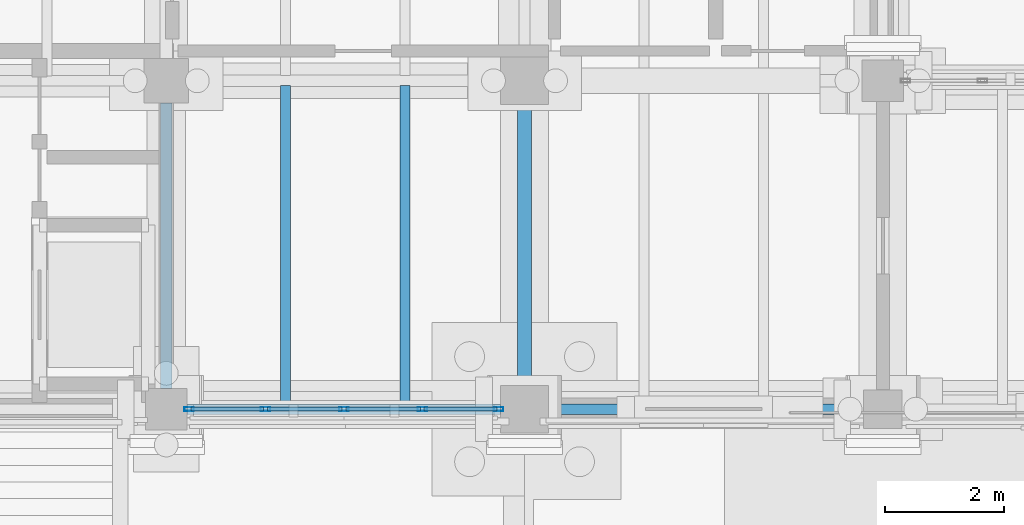
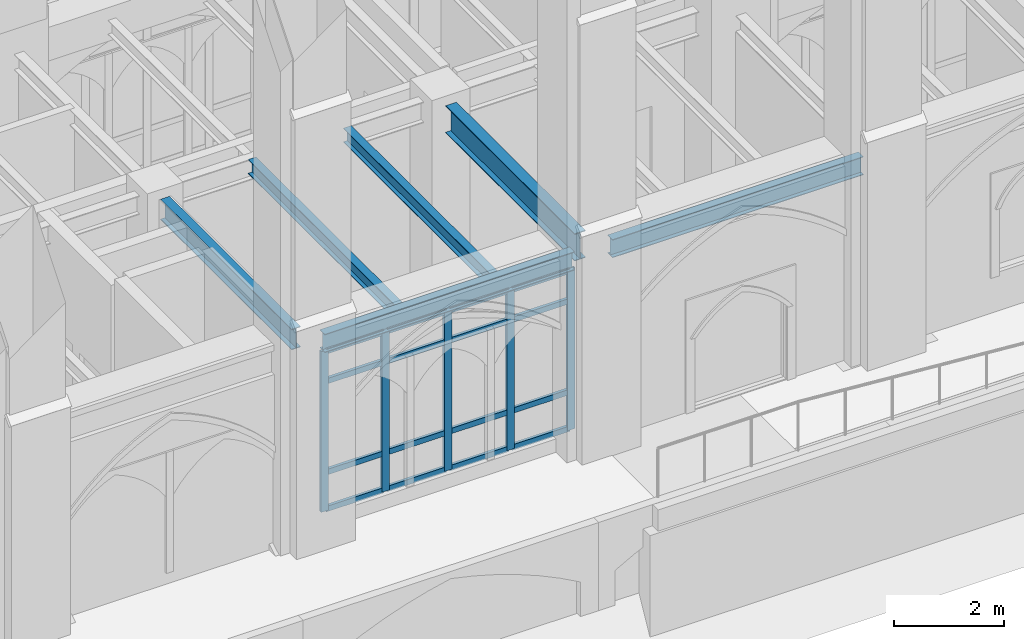
# One storey, part 23 of 135: 21 members, 6 beams, 1 element without a shape of its own.
"""IFC4 building model written with IfcOpenShell, lengths in metres."""

from ifc_helpers import new_model, si_unit, direction, frame, origin, origin_2d, place, context, subcontext, project, spatial, hollow_rectangle, i_section, extrude, material, layer, layer_set, material_profile, profile_set, type_object, element, aggregate, save


model = new_model("IFC4")

# Units and contexts
model_context = context("Model", 3, precision=1e-05, world=origin(), true_north=direction((0.0, 1.0)))
body_context = subcontext(model_context, "Body", "Model", "MODEL_VIEW")
ifc_project = project(units=[si_unit("LENGTHUNIT", "METRE"), si_unit("AREAUNIT", "SQUARE_METRE"), si_unit("VOLUMEUNIT", "CUBIC_METRE"), si_unit("PLANEANGLEUNIT", "RADIAN"), si_unit("MASSUNIT", "GRAM", prefix="KILO")], contexts=[model_context])

# Site, building, storey
site_placement = place(None, origin())
site = spatial("IfcSite", under=ifc_project, at=site_placement, CompositionType="ELEMENT")
building_placement = place(site_placement, origin())
building = spatial("IfcBuilding", under=site, at=building_placement, Name="Cumevento Cable Car Station", CompositionType="ELEMENT")
storey_placement = place(building_placement, origin())
storey = spatial("IfcBuildingStorey", under=building, at=storey_placement, Name="L01", CompositionType="ELEMENT", Elevation=0.0)

# Curtain wall, members
ifc_material_1 = material(Name="Anodised Bronze Aluminium AW-6063-T6", Category="aluminium")
ifc_layer = layer(ifc_material_1, 0.177978515625)
ifc_layer_set = layer_set([ifc_layer], Name="Anodised Bronze Aluminium AW-6063-T6")
curtain_wall_type = type_object("IfcCurtainWallType", Name="Lancet Curtain Wall CW-04 1170", PredefinedType="NOTDEFINED", material=ifc_layer_set)
curtain_wall_placement = place(storey_placement, origin())
curtain_wall = element("IfcCurtainWall", 1, at=curtain_wall_placement, inside=storey, type_object=curtain_wall_type, Name="Lancet Curtain Wall CW-04 L01 #3", PredefinedType="NOTDEFINED")
ifc_material_2 = material(Name="Anodised Bronze Aluminium AW-6063-T6", Category="aluminium")
ifc_material_profile_1 = material_profile(ifc_material_2, hollow_rectangle(XDim=0.06494140625, YDim=0.159912109375, WallThickness=0.00390625, at=origin_2d()), Name="ALUM65x160x4")
ifc_profile_set_1 = profile_set([ifc_material_profile_1], Name="Anodised Bronze Aluminium AW-6063-T6")
member_type_1 = type_object("IfcMemberType", Name="Curtain Mullion CWM-01 ALUM65x160x4", PredefinedType="MULLION", material=ifc_profile_set_1)
member_1_placement = place(storey_placement, frame((39.5673828125, 4.0, 0.31005859375), z_axis=(0.0, 0.0, 1.0), x_axis=(0.0, -1.0, 0.0)))
member_1 = element("IfcMember", 2, at=member_1_placement, type_object=member_type_1, Name="CW-04 mullion 1", PredefinedType="MULLION", context=body_context, shape_type="SweptSolid", body=[
    extrude(hollow_rectangle(XDim=0.06494140625, YDim=0.159912109375, WallThickness=0.00390625, at=origin_2d()), origin(), (0.0, 0.0, 1.0), 3.571044921875),
])
member_2_placement = place(storey_placement, frame((38.28759765625, 4.0, 0.31005859375), z_axis=(0.0, 0.0, 1.0), x_axis=(0.0, -1.0, 0.0)))
member_2 = element("IfcMember", 3, at=member_2_placement, type_object=member_type_1, Name="CW-04 mullion 2", PredefinedType="MULLION", context=body_context, shape_type="SweptSolid", body=[
    extrude(hollow_rectangle(XDim=0.06494140625, YDim=0.159912109375, WallThickness=0.00390625, at=origin_2d()), origin(), (0.0, 0.0, 1.0), 3.571044921875),
])
member_3_placement = place(storey_placement, frame((36.97509765625, 4.0, 0.31005859375), z_axis=(0.0, 0.0, 1.0), x_axis=(0.0, -1.0, 0.0)))
member_3 = element("IfcMember", 4, at=member_3_placement, type_object=member_type_1, Name="CW-04 mullion 3", PredefinedType="MULLION", context=body_context, shape_type="SweptSolid", body=[
    extrude(hollow_rectangle(XDim=0.06494140625, YDim=0.159912109375, WallThickness=0.00390625, at=origin_2d()), origin(), (0.0, 0.0, 1.0), 3.571044921875),
])
member_4_placement = place(storey_placement, frame((35.66259765625, 4.0, 0.31005859375), z_axis=(0.0, 0.0, 1.0), x_axis=(0.0, -1.0, 0.0)))
member_4 = element("IfcMember", 5, at=member_4_placement, type_object=member_type_1, Name="CW-04 mullion 4", PredefinedType="MULLION", context=body_context, shape_type="SweptSolid", body=[
    extrude(hollow_rectangle(XDim=0.06494140625, YDim=0.159912109375, WallThickness=0.00390625, at=origin_2d()), origin(), (0.0, 0.0, 1.0), 3.571044921875),
])
member_5_placement = place(storey_placement, frame((34.382568359375, 4.0, 0.31005859375), z_axis=(0.0, 0.0, 1.0), x_axis=(0.0, -1.0, 0.0)))
member_5 = element("IfcMember", 6, at=member_5_placement, type_object=member_type_1, Name="CW-04 mullion 5", PredefinedType="MULLION", context=body_context, shape_type="SweptSolid", body=[
    extrude(hollow_rectangle(XDim=0.06494140625, YDim=0.159912109375, WallThickness=0.00390625, at=origin_2d()), origin(), (0.0, 0.0, 1.0), 3.571044921875),
])
ifc_material_3 = material(Name="Anodised Bronze Aluminium AW-6063-T6", Category="aluminium")
ifc_material_profile_2 = material_profile(ifc_material_3, hollow_rectangle(XDim=0.06494140625, YDim=0.1201171875, WallThickness=0.00390625, at=origin_2d()), Name="ALUT65x120x4")
ifc_profile_set_2 = profile_set([ifc_material_profile_2], Name="Anodised Bronze Aluminium AW-6063-T6")
member_type_2 = type_object("IfcMemberType", Name="Curtain Transom CWT-01 ALUT65x120x4", PredefinedType="USERDEFINED", material=ifc_profile_set_2)
member_6_placement = place(storey_placement, frame((39.534912109375, 4.0, 0.342529296875), z_axis=(-1.0, 0.0, 0.0), x_axis=(0.0, -1.0, 0.0)))
member_6 = element("IfcMember", 7, at=member_6_placement, type_object=member_type_2, Name="CW-04 transom 1.1", ObjectType="TRANSOM", PredefinedType="USERDEFINED", context=body_context, shape_type="SweptSolid", body=[
    extrude(hollow_rectangle(XDim=0.06494140625, YDim=0.1201171875, WallThickness=0.00390625, at=origin_2d()), origin(), (0.0, 0.0, 1.0), 1.21484375),
])
member_7_placement = place(storey_placement, frame((39.534912109375, 4.0, 1.159912109375), z_axis=(-1.0, 0.0, 0.0), x_axis=(0.0, -1.0, 0.0)))
member_7 = element("IfcMember", 8, at=member_7_placement, type_object=member_type_2, Name="CW-04 transom 1.2", ObjectType="TRANSOM", PredefinedType="USERDEFINED", context=body_context, shape_type="SweptSolid", body=[
    extrude(hollow_rectangle(XDim=0.06494140625, YDim=0.1201171875, WallThickness=0.00390625, at=origin_2d()), origin(), (0.0, 0.0, 1.0), 1.21484375),
])
member_8_placement = place(storey_placement, frame((39.534912109375, 4.0, 3.180908203125), z_axis=(-1.0, 0.0, 0.0), x_axis=(0.0, -1.0, 0.0)))
member_8 = element("IfcMember", 9, at=member_8_placement, type_object=member_type_2, Name="CW-04 transom 1.3", ObjectType="TRANSOM", PredefinedType="USERDEFINED", context=body_context, shape_type="SweptSolid", body=[
    extrude(hollow_rectangle(XDim=0.06494140625, YDim=0.1201171875, WallThickness=0.00390625, at=origin_2d()), origin(), (0.0, 0.0, 1.0), 1.21484375),
])
member_9_placement = place(storey_placement, frame((39.534912109375, 4.0, 3.848388671875), z_axis=(-1.0, 0.0, 0.0), x_axis=(0.0, -1.0, 0.0)))
member_9 = element("IfcMember", 10, at=member_9_placement, type_object=member_type_2, Name="CW-04 transom 1.4", ObjectType="TRANSOM", PredefinedType="USERDEFINED", context=body_context, shape_type="SweptSolid", body=[
    extrude(hollow_rectangle(XDim=0.06494140625, YDim=0.1201171875, WallThickness=0.00390625, at=origin_2d()), origin(), (0.0, 0.0, 1.0), 1.21484375),
])
member_10_placement = place(storey_placement, frame((38.2548828125, 4.0, 0.342529296875), z_axis=(-1.0, 0.0, 0.0), x_axis=(0.0, -1.0, 0.0)))
member_10 = element("IfcMember", 11, at=member_10_placement, type_object=member_type_2, Name="CW-04 transom 2.1", ObjectType="TRANSOM", PredefinedType="USERDEFINED", context=body_context, shape_type="SweptSolid", body=[
    extrude(hollow_rectangle(XDim=0.06494140625, YDim=0.1201171875, WallThickness=0.00390625, at=origin_2d()), origin(), (0.0, 0.0, 1.0), 1.247314453125),
])
member_11_placement = place(storey_placement, frame((38.2548828125, 4.0, 1.159912109375), z_axis=(-1.0, 0.0, 0.0), x_axis=(0.0, -1.0, 0.0)))
member_11 = element("IfcMember", 12, at=member_11_placement, type_object=member_type_2, Name="CW-04 transom 2.2", ObjectType="TRANSOM", PredefinedType="USERDEFINED", context=body_context, shape_type="SweptSolid", body=[
    extrude(hollow_rectangle(XDim=0.06494140625, YDim=0.1201171875, WallThickness=0.00390625, at=origin_2d()), origin(), (0.0, 0.0, 1.0), 1.247314453125),
])
member_12_placement = place(storey_placement, frame((38.2548828125, 4.0, 3.180908203125), z_axis=(-1.0, 0.0, 0.0), x_axis=(0.0, -1.0, 0.0)))
member_12 = element("IfcMember", 13, at=member_12_placement, type_object=member_type_2, Name="CW-04 transom 2.3", ObjectType="TRANSOM", PredefinedType="USERDEFINED", context=body_context, shape_type="SweptSolid", body=[
    extrude(hollow_rectangle(XDim=0.06494140625, YDim=0.1201171875, WallThickness=0.00390625, at=origin_2d()), origin(), (0.0, 0.0, 1.0), 1.247314453125),
])
member_13_placement = place(storey_placement, frame((38.2548828125, 4.0, 3.848388671875), z_axis=(-1.0, 0.0, 0.0), x_axis=(0.0, -1.0, 0.0)))
member_13 = element("IfcMember", 14, at=member_13_placement, type_object=member_type_2, Name="CW-04 transom 2.4", ObjectType="TRANSOM", PredefinedType="USERDEFINED", context=body_context, shape_type="SweptSolid", body=[
    extrude(hollow_rectangle(XDim=0.06494140625, YDim=0.1201171875, WallThickness=0.00390625, at=origin_2d()), origin(), (0.0, 0.0, 1.0), 1.247314453125),
])
member_14_placement = place(storey_placement, frame((36.9423828125, 4.0, 0.342529296875), z_axis=(-1.0, 0.0, 0.0), x_axis=(0.0, -1.0, 0.0)))
member_14 = element("IfcMember", 15, at=member_14_placement, type_object=member_type_2, Name="CW-04 transom 3.1", ObjectType="TRANSOM", PredefinedType="USERDEFINED", context=body_context, shape_type="SweptSolid", body=[
    extrude(hollow_rectangle(XDim=0.06494140625, YDim=0.1201171875, WallThickness=0.00390625, at=origin_2d()), origin(), (0.0, 0.0, 1.0), 1.247314453125),
])
member_15_placement = place(storey_placement, frame((36.9423828125, 4.0, 1.159912109375), z_axis=(-1.0, 0.0, 0.0), x_axis=(0.0, -1.0, 0.0)))
member_15 = element("IfcMember", 16, at=member_15_placement, type_object=member_type_2, Name="CW-04 transom 3.2", ObjectType="TRANSOM", PredefinedType="USERDEFINED", context=body_context, shape_type="SweptSolid", body=[
    extrude(hollow_rectangle(XDim=0.06494140625, YDim=0.1201171875, WallThickness=0.00390625, at=origin_2d()), origin(), (0.0, 0.0, 1.0), 1.247314453125),
])
member_16_placement = place(storey_placement, frame((36.9423828125, 4.0, 3.180908203125), z_axis=(-1.0, 0.0, 0.0), x_axis=(0.0, -1.0, 0.0)))
member_16 = element("IfcMember", 17, at=member_16_placement, type_object=member_type_2, Name="CW-04 transom 3.3", ObjectType="TRANSOM", PredefinedType="USERDEFINED", context=body_context, shape_type="SweptSolid", body=[
    extrude(hollow_rectangle(XDim=0.06494140625, YDim=0.1201171875, WallThickness=0.00390625, at=origin_2d()), origin(), (0.0, 0.0, 1.0), 1.247314453125),
])
member_17_placement = place(storey_placement, frame((36.9423828125, 4.0, 3.848388671875), z_axis=(-1.0, 0.0, 0.0), x_axis=(0.0, -1.0, 0.0)))
member_17 = element("IfcMember", 18, at=member_17_placement, type_object=member_type_2, Name="CW-04 transom 3.4", ObjectType="TRANSOM", PredefinedType="USERDEFINED", context=body_context, shape_type="SweptSolid", body=[
    extrude(hollow_rectangle(XDim=0.06494140625, YDim=0.1201171875, WallThickness=0.00390625, at=origin_2d()), origin(), (0.0, 0.0, 1.0), 1.247314453125),
])
member_18_placement = place(storey_placement, frame((35.6298828125, 4.0, 0.342529296875), z_axis=(-1.0, 0.0, 0.0), x_axis=(0.0, -1.0, 0.0)))
member_18 = element("IfcMember", 19, at=member_18_placement, type_object=member_type_2, Name="CW-04 transom 4.1", ObjectType="TRANSOM", PredefinedType="USERDEFINED", context=body_context, shape_type="SweptSolid", body=[
    extrude(hollow_rectangle(XDim=0.06494140625, YDim=0.1201171875, WallThickness=0.00390625, at=origin_2d()), origin(), (0.0, 0.0, 1.0), 1.21484375),
])
member_19_placement = place(storey_placement, frame((35.6298828125, 4.0, 1.159912109375), z_axis=(-1.0, 0.0, 0.0), x_axis=(0.0, -1.0, 0.0)))
member_19 = element("IfcMember", 20, at=member_19_placement, type_object=member_type_2, Name="CW-04 transom 4.2", ObjectType="TRANSOM", PredefinedType="USERDEFINED", context=body_context, shape_type="SweptSolid", body=[
    extrude(hollow_rectangle(XDim=0.06494140625, YDim=0.1201171875, WallThickness=0.00390625, at=origin_2d()), origin(), (0.0, 0.0, 1.0), 1.21484375),
])
member_20_placement = place(storey_placement, frame((35.6298828125, 4.0, 3.180908203125), z_axis=(-1.0, 0.0, 0.0), x_axis=(0.0, -1.0, 0.0)))
member_20 = element("IfcMember", 21, at=member_20_placement, type_object=member_type_2, Name="CW-04 transom 4.3", ObjectType="TRANSOM", PredefinedType="USERDEFINED", context=body_context, shape_type="SweptSolid", body=[
    extrude(hollow_rectangle(XDim=0.06494140625, YDim=0.1201171875, WallThickness=0.00390625, at=origin_2d()), origin(), (0.0, 0.0, 1.0), 1.21484375),
])
member_21_placement = place(storey_placement, frame((35.6298828125, 4.0, 3.848388671875), z_axis=(-1.0, 0.0, 0.0), x_axis=(0.0, -1.0, 0.0)))
member_21 = element("IfcMember", 22, at=member_21_placement, type_object=member_type_2, Name="CW-04 transom 4.4", ObjectType="TRANSOM", PredefinedType="USERDEFINED", context=body_context, shape_type="SweptSolid", body=[
    extrude(hollow_rectangle(XDim=0.06494140625, YDim=0.1201171875, WallThickness=0.00390625, at=origin_2d()), origin(), (0.0, 0.0, 1.0), 1.21484375),
])
aggregate(curtain_wall, [member_1, member_2, member_3, member_4, member_5, member_6, member_7, member_8, member_9, member_10, member_11, member_12, member_13, member_14, member_15, member_16, member_17, member_18, member_19, member_20, member_21])

# Beams
ifc_material_4 = material(Name="Steel ASTM A572 Grade 50", Category="steel")
ifc_material_profile_3 = material_profile(ifc_material_4, i_section(OverallWidth=0.22802734375, OverallDepth=0.60791015625, WebThickness=0.01123046875, FlangeThickness=0.017333984375, at=origin_2d()), Name="W610x113.0")
ifc_profile_set_3 = profile_set([ifc_material_profile_3], Name="Steel ASTM A572 Grade 50")
beam_type_1 = type_object("IfcBeamType", Name="Structural Beam BM-02 W610x113.0", PredefinedType="BEAM", material=ifc_profile_set_3)
beam_1_placement = place(storey_placement, frame((40.0, 4.39990234375, 3.98388671875), z_axis=(0.0, 1.0, 0.0), x_axis=(-1.0, 0.0, 0.0)))
element("IfcBeam", 23, at=beam_1_placement, inside=storey, type_object=beam_type_1, Name="Beam BM-02 L01 #19", PredefinedType="BEAM", context=body_context, shape_type="SweptSolid", body=[
    extrude(i_section(OverallWidth=0.22802734375, OverallDepth=0.60791015625, WebThickness=0.01123046875, FlangeThickness=0.017333984375, at=origin_2d()), origin(), (0.0, 0.0, 1.0), 4.7001953125),
])
ifc_material_5 = material(Name="Steel ASTM A572 Grade 50", Category="steel")
ifc_material_profile_4 = material_profile(ifc_material_5, i_section(OverallWidth=0.18994140625, OverallDepth=0.45703125, WebThickness=0.009033203125, FlangeThickness=0.014404296875, at=origin_2d()), Name="W460x74.0")
ifc_profile_set_4 = profile_set([ifc_material_profile_4], Name="Steel ASTM A572 Grade 50")
beam_type_2 = type_object("IfcBeamType", Name="Structural Beam BM-04 W460x74.0", PredefinedType="BEAM", material=ifc_profile_set_4)
beam_2_placement = place(storey_placement, frame((34.0, 4.35009765625, 4.0595703125), z_axis=(0.0, 1.0, 0.0), x_axis=(-1.0, 0.0, 0.0)))
element("IfcBeam", 24, at=beam_2_placement, inside=storey, type_object=beam_type_2, Name="Beam BM-04 L01 #17", PredefinedType="BEAM", context=body_context, shape_type="SweptSolid", body=[
    extrude(i_section(OverallWidth=0.18994140625, OverallDepth=0.45703125, WebThickness=0.009033203125, FlangeThickness=0.014404296875, at=origin_2d()), origin(), (0.0, 0.0, 1.0), 4.77490234375),
])
ifc_material_6 = material(Name="Steel ASTM A572 Grade 50", Category="steel")
ifc_material_profile_5 = material_profile(ifc_material_6, i_section(OverallWidth=0.1669921875, OverallDepth=0.31689453125, WebThickness=0.007568359375, FlangeThickness=0.01318359375, at=origin_2d()), Name="W310x52.0")
ifc_profile_set_5 = profile_set([ifc_material_profile_5], Name="Steel ASTM A572 Grade 50")
beam_type_3 = type_object("IfcBeamType", Name="Structural Joist JS-02 W310x52.0", PredefinedType="JOIST", material=ifc_profile_set_5)
for number, where, z_axis, x_axis, name in (
    (25, (36.0, 4.076904296875, 4.12939453125), (0.0, 1.0, 0.0), (-1.0, 0.0, 0.0), "Composite Floor Joist JS-02 L01 #309"),
    (26, (38.0, 4.076904296875, 4.12939453125), (0.0, 1.0, 0.0), (-1.0, 0.0, 0.0), "Composite Floor Joist JS-02 L01 #311"),
):
    element("IfcBeam", number, at=place(storey_placement, frame(where, z_axis=z_axis, x_axis=x_axis)), inside=storey, type_object=beam_type_3, Name=name, PredefinedType="JOIST", context=body_context, shape_type="SweptSolid", body=[
        extrude(i_section(OverallWidth=0.1669921875, OverallDepth=0.31689453125, WebThickness=0.007568359375, FlangeThickness=0.01318359375, at=origin_2d()), origin(), (0.0, 0.0, 1.0), 5.339111328125),
    ])
ifc_material_7 = material(Name="Steel ASTM A572 Grade 50", Category="steel")
ifc_material_profile_6 = material_profile(ifc_material_7, i_section(OverallWidth=0.177978515625, OverallDepth=0.406982421875, WebThickness=0.0078125, FlangeThickness=0.0126953125, at=origin_2d()), Name="W410x60.0")
ifc_profile_set_6 = profile_set([ifc_material_profile_6], Name="Steel ASTM A572 Grade 50")
beam_type_4 = type_object("IfcBeamType", Name="Structural Spandrel SP-01 W410x60.0", PredefinedType="SPANDREL", material=ifc_profile_set_6)
beam_3_placement = place(storey_placement, frame((34.35009765625, 4.0, 4.08447265625), z_axis=(1.0, 0.0, 0.0), x_axis=(0.0, 1.0, 0.0)))
element("IfcBeam", 27, at=beam_3_placement, inside=storey, type_object=beam_type_4, Name="Beam SP-01 L01 #3", PredefinedType="SPANDREL", context=body_context, shape_type="SweptSolid", body=[
    extrude(i_section(OverallWidth=0.177978515625, OverallDepth=0.406982421875, WebThickness=0.0078125, FlangeThickness=0.0126953125, at=origin_2d()), origin(), (0.0, 0.0, 1.0), 5.25),
])
beam_4_placement = place(storey_placement, frame((40.39990234375, 4.0, 4.072509765625), z_axis=(1.0, 0.0, 0.0), x_axis=(0.0, 1.0, 0.0)))
element("IfcBeam", 28, at=beam_4_placement, inside=storey, type_object=beam_type_4, Name="Beam SP-01 L01 #4", PredefinedType="SPANDREL", context=body_context, shape_type="SweptSolid", body=[
    extrude(i_section(OverallWidth=0.177978515625, OverallDepth=0.406982421875, WebThickness=0.0078125, FlangeThickness=0.0126953125, at=origin_2d()), origin(), (0.0, 0.0, 1.0), 5.275146484375),
])

save(model, "model.ifc")
